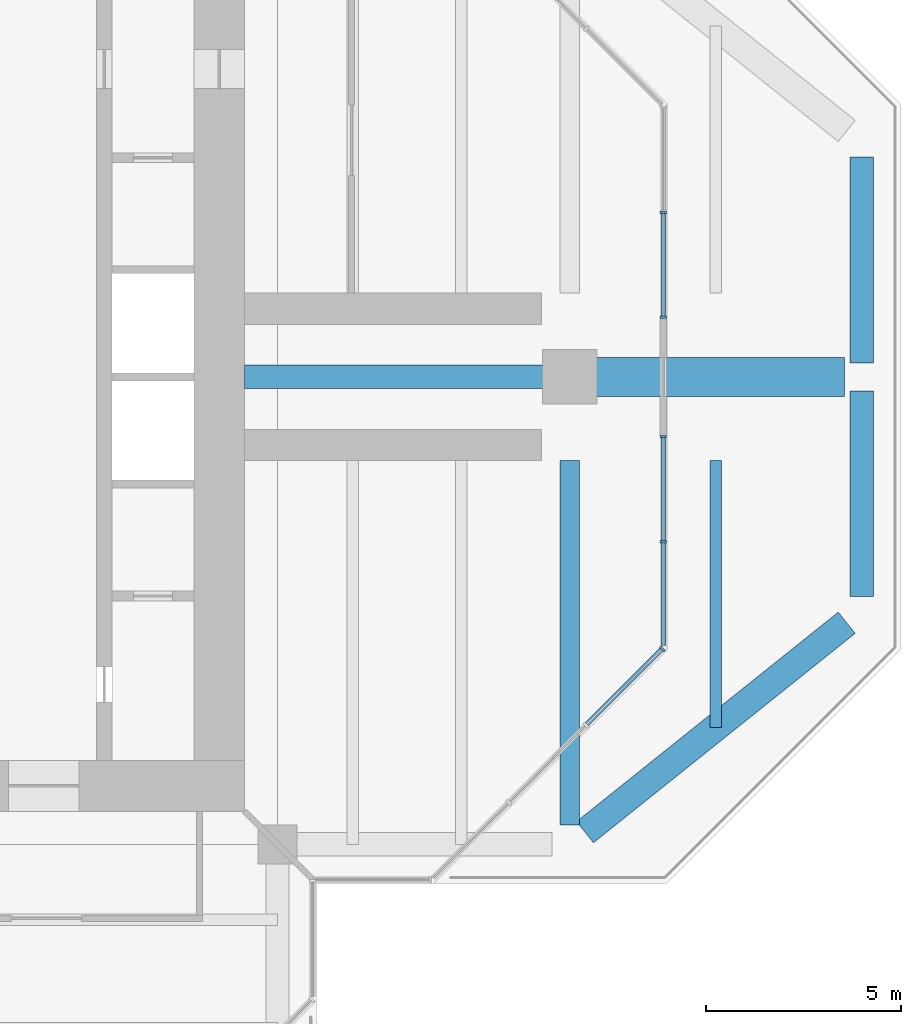
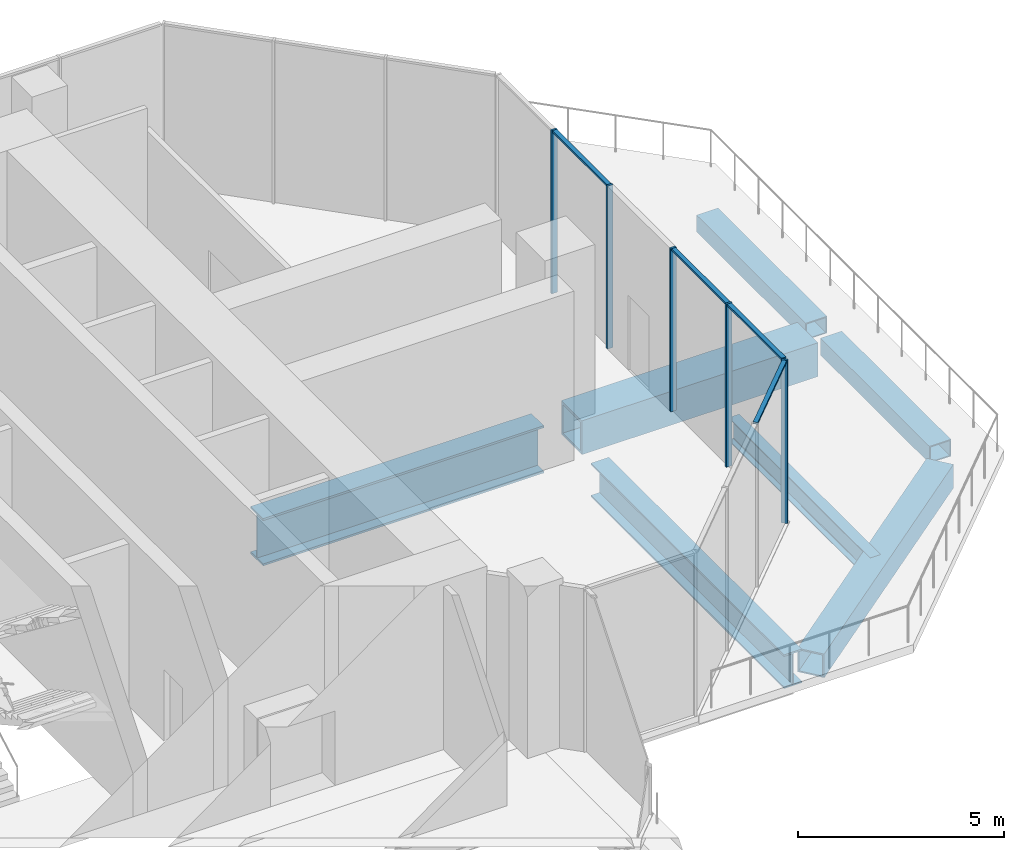
# One storey, part 5 of 13: 9 members, 7 beams, 3 elements without a shape of their own.
"""IFC4 building model written with IfcOpenShell, lengths in metres."""

from ifc_helpers import new_model, si_unit, direction, frame, origin, origin_2d, place, context, subcontext, project, spatial, rectangle, hollow_rectangle, i_section, extrude, material, material_profile, profile_set, type_object, element, aggregate, save


model = new_model("IFC4")

# Units and contexts
model_context = context("Model", 3, precision=1e-05, world=origin(), true_north=direction((0.0, 1.0)))
body_context = subcontext(model_context, "Body", "Model", "MODEL_VIEW")
ifc_project = project(units=[si_unit("LENGTHUNIT", "METRE"), si_unit("AREAUNIT", "SQUARE_METRE"), si_unit("VOLUMEUNIT", "CUBIC_METRE"), si_unit("PLANEANGLEUNIT", "RADIAN"), si_unit("MASSUNIT", "GRAM", prefix="KILO")], contexts=[model_context])

# Site, building, storey
site_placement = place(None, origin())
site = spatial("IfcSite", under=ifc_project, at=site_placement, CompositionType="ELEMENT")
building_placement = place(site_placement, origin())
building = spatial("IfcBuilding", under=site, at=building_placement, Name="Mizan Broadcast Tower", CompositionType="ELEMENT")
storey_placement = place(building_placement, frame((0.0, 0.0, 306.300048828125)))
storey = spatial("IfcBuildingStorey", under=building, at=storey_placement, Name="L73", CompositionType="ELEMENT", Elevation=306.300048828125)

# Beams
ifc_material_1 = material(Name="Steel S355", Category="steel")
ifc_material_profile_1 = material_profile(ifc_material_1, hollow_rectangle(XDim=0.60009765625, YDim=0.5, WallThickness=0.030029296875, at=origin_2d()), Name="BOX 500x600x30")
ifc_profile_set_1 = profile_set([ifc_material_profile_1], Name="Steel S355")
beam_type_1 = type_object("IfcBeamType", Name="EDGE BEAM BOX 500x600x30", PredefinedType="SPANDREL", material=ifc_profile_set_1)
for number, where, z_axis, x_axis, name in (
    (1, (27.0, -5.639892578125, -0.5), (0.0, 1.0, 0.0), (-1.0, 0.0, 0.0), "Edge beam BOX 500x600x30 L73 east arm"),
    (2, (27.0, 5.639892578125, -0.5), (0.0, -1.0, 0.0), (1.0, 0.0, 0.0), "Edge beam BOX 500x600x30 L73 east arm"),
):
    element("IfcBeam", number, at=place(storey_placement, frame(where, z_axis=z_axis, x_axis=x_axis)), inside=storey, type_object=beam_type_1, Name=name, PredefinedType="SPANDREL", context=body_context, shape_type="SweptSolid", body=[
        extrude(hollow_rectangle(XDim=0.60009765625, YDim=0.5, WallThickness=0.030029296875, at=origin_2d()), origin(), (0.0, 0.0, 1.0), 5.27978515625),
    ])
ifc_material_2 = material(Name="Steel S355", Category="steel")
ifc_material_profile_2 = material_profile(ifc_material_2, hollow_rectangle(XDim=0.699951171875, YDim=0.699951171875, WallThickness=0.0400390625, at=origin_2d()), Name="BOX 700x700x40")
ifc_profile_set_2 = profile_set([ifc_material_profile_2], Name="Steel S355")
beam_type_2 = type_object("IfcBeamType", Name="EDGE BEAM BOX 700x700x40", PredefinedType="SPANDREL", material=ifc_profile_set_2)
beam_1_placement = place(storey_placement, frame((19.890380859375, -11.687744140625, -0.60009765625), z_axis=(0.780863273348, 0.62470196761, 0.0), x_axis=(-0.62470196761, 0.780863273348, 0.0)))
element("IfcBeam", 3, at=beam_1_placement, inside=storey, type_object=beam_type_2, Name="Edge beam BOX 700x700x40 L73 east arm", PredefinedType="SPANDREL", context=body_context, shape_type="SweptSolid", body=[
    extrude(hollow_rectangle(XDim=0.699951171875, YDim=0.699951171875, WallThickness=0.0400390625, at=origin_2d()), origin(), (0.0, 0.0, 1.0), 8.60498046875),
])
ifc_material_3 = material(Name="Steel S460", Category="steel")
ifc_material_profile_3 = material_profile(ifc_material_3, hollow_rectangle(XDim=1.0, YDim=1.0, WallThickness=0.080078125, at=origin_2d()), Name="BOX 1000x1000x80")
ifc_profile_set_3 = profile_set([ifc_material_profile_3], Name="Steel S460")
beam_type_3 = type_object("IfcBeamType", Name="GIRDER BOX 1000x1000x80", PredefinedType="BEAM", material=ifc_profile_set_3)
beam_2_placement = place(storey_placement, frame((19.949951171875, 0.0, -0.75), z_axis=(1.0, 0.0, 0.0), x_axis=(0.0, 1.0, 0.0)))
element("IfcBeam", 4, at=beam_2_placement, inside=storey, type_object=beam_type_3, Name="Girder BOX 1000x1000x80 L73 east arm", PredefinedType="BEAM", context=body_context, shape_type="SweptSolid", body=[
    extrude(hollow_rectangle(XDim=1.0, YDim=1.0, WallThickness=0.080078125, at=origin_2d()), origin(), (0.0, 0.0, 1.0), 6.60009765625),
])
ifc_material_4 = material(Name="Steel S460", Category="steel")
ifc_material_profile_4 = material_profile(ifc_material_4, i_section(OverallWidth=0.5, OverallDepth=1.0, WebThickness=0.02490234375, FlangeThickness=0.050048828125, at=origin_2d()), Name="WPG 1000x500")
ifc_profile_set_4 = profile_set([ifc_material_profile_4], Name="Steel S460")
beam_type_4 = type_object("IfcBeamType", Name="GIRDER WPG 1000x500", PredefinedType="BEAM", material=ifc_profile_set_4)
beam_3_placement = place(storey_placement, frame((19.5, -11.5, -0.75), z_axis=(0.0, 1.0, 0.0), x_axis=(-1.0, 0.0, 0.0)))
element("IfcBeam", 5, at=beam_3_placement, inside=storey, type_object=beam_type_4, Name="Girder WPG 1000x500 L73 east arm", PredefinedType="BEAM", context=body_context, shape_type="SweptSolid", body=[
    extrude(i_section(OverallWidth=0.5, OverallDepth=1.0, WebThickness=0.02490234375, FlangeThickness=0.050048828125, at=origin_2d()), origin(), (0.0, 0.0, 1.0), 9.35009765625),
])
ifc_material_5 = material(Name="Steel S460", Category="steel")
ifc_material_profile_5 = material_profile(ifc_material_5, i_section(OverallWidth=0.60009765625, OverallDepth=1.39990234375, WebThickness=0.02490234375, FlangeThickness=0.06005859375, at=origin_2d()), Name="WPG 1400x600")
ifc_profile_set_5 = profile_set([ifc_material_profile_5], Name="Steel S460")
beam_type_5 = type_object("IfcBeamType", Name="GIRDER WPG 1400x600", PredefinedType="BEAM", material=ifc_profile_set_5)
beam_4_placement = place(storey_placement, frame((11.14990234375, 0.0, -0.880126953125), z_axis=(1.0, 0.0, 0.0), x_axis=(0.0, 1.0, 0.0)))
element("IfcBeam", 6, at=beam_4_placement, inside=storey, type_object=beam_type_5, Name="Girder WPG 1400x600 L73 east arm", PredefinedType="BEAM", context=body_context, shape_type="SweptSolid", body=[
    extrude(i_section(OverallWidth=0.60009765625, OverallDepth=1.39990234375, WebThickness=0.02490234375, FlangeThickness=0.06005859375, at=origin_2d()), origin(), (0.0, 0.0, 1.0), 7.84912109375),
])

# Curtain wall, member
ifc_material_6 = material(Name="Aluminium framed glazing", Category="aluminium")
curtain_wall_type = type_object("IfcCurtainWallType", Name="LANTERN", PredefinedType="USERDEFINED", material=ifc_material_6)
curtain_wall_1_placement = place(storey_placement, origin())
curtain_wall_1 = element("IfcCurtainWall", 7, at=curtain_wall_1_placement, inside=storey, type_object=curtain_wall_type, Name="Lantern L73 E chamfer", ObjectType="LANTERN", PredefinedType="USERDEFINED")
ifc_material_7 = material(Name="Aluminium, pale anodised", Category="aluminium")
ifc_material_profile_6 = material_profile(ifc_material_7, rectangle(XDim=0.159912109375, YDim=0.06005859375, at=origin_2d()), Name="MULLION 160x60")
ifc_profile_set_6 = profile_set([ifc_material_profile_6], Name="Aluminium, pale anodised")
member_type_1 = type_object("IfcMemberType", Name="INNER SKIN MULLION 60x160", PredefinedType="MULLION", material=ifc_profile_set_6)
member_1_placement = place(storey_placement, frame((21.87890625, -6.979736328125, 0.0), z_axis=(0.0, 0.0, 1.0), x_axis=(-0.707106781187, 0.707106781187, 0.0)))
member_1 = element("IfcMember", 8, at=member_1_placement, type_object=member_type_1, Name="Lantern L73 E chamfer mullion 4", PredefinedType="MULLION", context=body_context, shape_type="SweptSolid", body=[
    extrude(rectangle(XDim=0.159912109375, YDim=0.06005859375, at=origin_2d()), origin(), (0.0, 0.0, 1.0), 4.820068359375),
])

# Curtain wall, members
curtain_wall_2_placement = place(storey_placement, origin())
curtain_wall_2 = element("IfcCurtainWall", 9, at=curtain_wall_2_placement, inside=storey, type_object=curtain_wall_type, Name="Lantern L73 E end", ObjectType="LANTERN", PredefinedType="USERDEFINED")
member_2_placement = place(storey_placement, frame((21.89990234375, -4.229248046875, 0.0), z_axis=(0.0, 0.0, 1.0), x_axis=(-1.0, 0.0, 0.0)))
member_2 = element("IfcMember", 10, at=member_2_placement, type_object=member_type_1, Name="Lantern L73 E end mullion 2", PredefinedType="MULLION", context=body_context, shape_type="SweptSolid", body=[
    extrude(rectangle(XDim=0.159912109375, YDim=0.06005859375, at=origin_2d()), origin(), (0.0, 0.0, 1.0), 4.820068359375),
])
member_3_placement = place(storey_placement, frame((21.89990234375, -1.530029296875, 0.0), z_axis=(0.0, 0.0, 1.0), x_axis=(-1.0, 0.0, 0.0)))
member_3 = element("IfcMember", 11, at=member_3_placement, type_object=member_type_1, Name="Lantern L73 E end mullion 3", PredefinedType="MULLION", context=body_context, shape_type="SweptSolid", body=[
    extrude(rectangle(XDim=0.159912109375, YDim=0.06005859375, at=origin_2d()), origin(), (0.0, 0.0, 1.0), 4.820068359375),
])

curtain_wall_3_placement = place(storey_placement, origin())
curtain_wall_3 = element("IfcCurtainWall", 12, at=curtain_wall_3_placement, inside=storey, type_object=curtain_wall_type, Name="Lantern L73 E end", ObjectType="LANTERN", PredefinedType="USERDEFINED")
member_4_placement = place(storey_placement, frame((21.89990234375, 1.530029296875, 0.0), z_axis=(0.0, 0.0, 1.0), x_axis=(-1.0, 0.0, 0.0)))
member_4 = element("IfcMember", 13, at=member_4_placement, type_object=member_type_1, Name="Lantern L73 E end mullion 1", PredefinedType="MULLION", context=body_context, shape_type="SweptSolid", body=[
    extrude(rectangle(XDim=0.159912109375, YDim=0.06005859375, at=origin_2d()), origin(), (0.0, 0.0, 1.0), 4.820068359375),
])
member_5_placement = place(storey_placement, frame((21.89990234375, 4.229248046875, 0.0), z_axis=(0.0, 0.0, 1.0), x_axis=(-1.0, 0.0, 0.0)))
member_5 = element("IfcMember", 14, at=member_5_placement, type_object=member_type_1, Name="Lantern L73 E end mullion 2", PredefinedType="MULLION", context=body_context, shape_type="SweptSolid", body=[
    extrude(rectangle(XDim=0.159912109375, YDim=0.06005859375, at=origin_2d()), origin(), (0.0, 0.0, 1.0), 4.820068359375),
])

# Member
ifc_material_8 = material(Name="Aluminium, pale anodised", Category="aluminium")
ifc_material_profile_7 = material_profile(ifc_material_8, rectangle(XDim=0.1201171875, YDim=0.06005859375, at=origin_2d()), Name="TRANSOM 120x60")
ifc_profile_set_7 = profile_set([ifc_material_profile_7], Name="Aluminium, pale anodised")
member_type_2 = type_object("IfcMemberType", Name="INNER SKIN TRANSOM 60x120", PredefinedType="USERDEFINED", material=ifc_profile_set_7)
member_6_placement = place(storey_placement, frame((19.940673828125, -8.917724609375, 4.7900390625), z_axis=(0.707151809797, 0.707061749709, 0.0), x_axis=(-0.707061749709, 0.707151809797, 0.0)))
member_6 = element("IfcMember", 15, at=member_6_placement, type_object=member_type_2, Name="Lantern L73 E chamfer transom 3.1", ObjectType="TRANSOM", PredefinedType="USERDEFINED", context=body_context, shape_type="SweptSolid", body=[
    extrude(rectangle(XDim=0.1201171875, YDim=0.06005859375, at=origin_2d()), origin(), (0.0, 0.0, 1.0), 2.7109375),
])

aggregate(curtain_wall_1, [member_1, member_6])

member_7_placement = place(storey_placement, frame((21.89990234375, -6.898681640625, 4.7900390625), z_axis=(0.0, 1.0, 0.0), x_axis=(-1.0, 0.0, 0.0)))
member_7 = element("IfcMember", 16, at=member_7_placement, type_object=member_type_2, Name="Lantern L73 E end transom 1.1", ObjectType="TRANSOM", PredefinedType="USERDEFINED", context=body_context, shape_type="SweptSolid", body=[
    extrude(rectangle(XDim=0.1201171875, YDim=0.06005859375, at=origin_2d()), origin(), (0.0, 0.0, 1.0), 2.639404296875),
])

member_8_placement = place(storey_placement, frame((21.89990234375, -4.19921875, 4.7900390625), z_axis=(0.0, 1.0, 0.0), x_axis=(-1.0, 0.0, 0.0)))
member_8 = element("IfcMember", 17, at=member_8_placement, type_object=member_type_2, Name="Lantern L73 E end transom 2.1", ObjectType="TRANSOM", PredefinedType="USERDEFINED", context=body_context, shape_type="SweptSolid", body=[
    extrude(rectangle(XDim=0.1201171875, YDim=0.06005859375, at=origin_2d()), origin(), (0.0, 0.0, 1.0), 2.63916015625),
])

aggregate(curtain_wall_2, [member_2, member_3, member_7, member_8])

member_9_placement = place(storey_placement, frame((21.89990234375, 1.56005859375, 4.7900390625), z_axis=(0.0, 1.0, 0.0), x_axis=(-1.0, 0.0, 0.0)))
member_9 = element("IfcMember", 18, at=member_9_placement, type_object=member_type_2, Name="Lantern L73 E end transom 1.1", ObjectType="TRANSOM", PredefinedType="USERDEFINED", context=body_context, shape_type="SweptSolid", body=[
    extrude(rectangle(XDim=0.1201171875, YDim=0.06005859375, at=origin_2d()), origin(), (0.0, 0.0, 1.0), 2.63916015625),
])

aggregate(curtain_wall_3, [member_4, member_5, member_9])

# Beam
ifc_material_9 = material(Name="Steel S355", Category="steel")
ifc_material_profile_8 = material_profile(ifc_material_9, i_section(OverallWidth=0.300048828125, OverallDepth=0.68994140625, WebThickness=0.014404296875, FlangeThickness=0.027099609375, FilletRadius=0.027099609375, at=origin_2d()), Name="HEA 700")
ifc_profile_set_8 = profile_set([ifc_material_profile_8], Name="Steel S355")
beam_type_6 = type_object("IfcBeamType", Name="SECONDARY BEAM HEA 700", PredefinedType="JOIST", material=ifc_profile_set_8)
beam_5_placement = place(storey_placement, frame((23.25, -9.0, -0.594970703125), z_axis=(0.0, 1.0, 0.0), x_axis=(-1.0, 0.0, 0.0)))
element("IfcBeam", 19, at=beam_5_placement, inside=storey, type_object=beam_type_6, Name="Secondary beam HEA 700 L73 east arm", PredefinedType="JOIST", context=body_context, shape_type="SweptSolid", body=[
    extrude(i_section(OverallWidth=0.300048828125, OverallDepth=0.68994140625, WebThickness=0.014404296875, FlangeThickness=0.027099609375, FilletRadius=0.027099609375, at=origin_2d()), origin(), (0.0, 0.0, 1.0), 6.85009765625),
])

save(model, "model.ifc")
